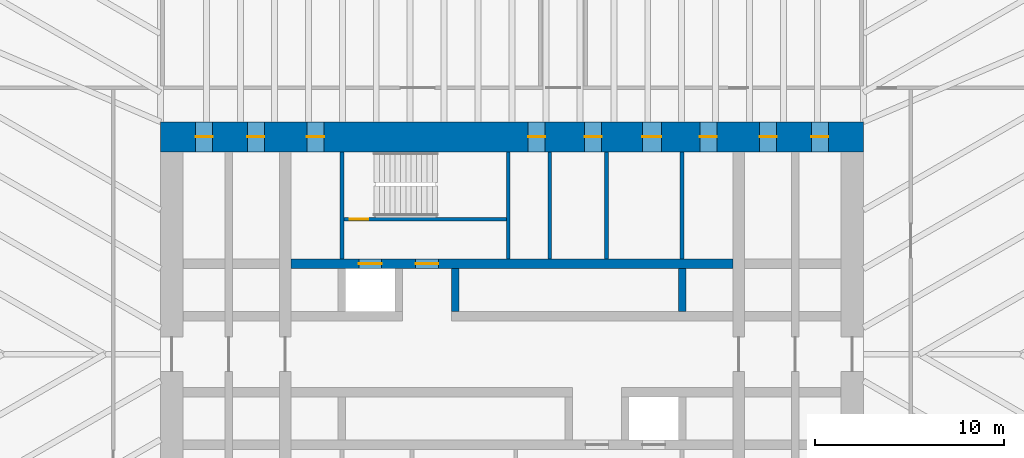
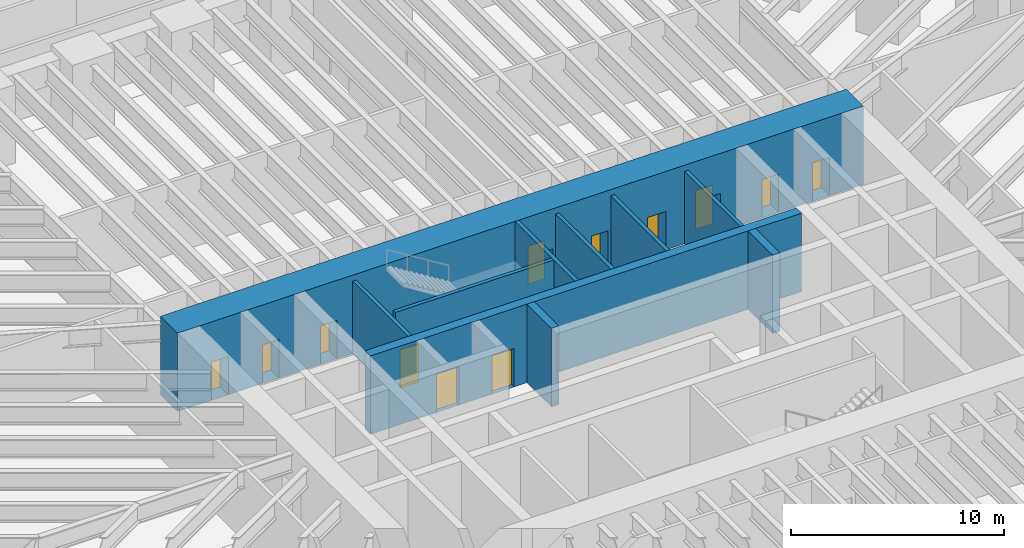
# One storey, part 7 of 12: 12 doors, 10 walls, 12 openings.
"""IFC4 building model written with IfcOpenShell, lengths in metres."""

from ifc_helpers import new_model, si_unit, direction, frame, frame_2d, origin, place, context, subcontext, project, spatial, rectangle, extrude, material, layer, layer_set, type_object, element, fill, save


model = new_model("IFC4")

# Units and contexts
model_context = context("Model", 3, precision=1e-05, world=origin(), true_north=direction((0.0, 1.0)))
body_context = subcontext(model_context, "Body", "Model", "MODEL_VIEW")
ifc_project = project(units=[si_unit("LENGTHUNIT", "METRE"), si_unit("AREAUNIT", "SQUARE_METRE"), si_unit("VOLUMEUNIT", "CUBIC_METRE"), si_unit("PLANEANGLEUNIT", "RADIAN"), si_unit("MASSUNIT", "GRAM", prefix="KILO")], contexts=[model_context])

# Site, building, storey
site_placement = place(None, origin())
site = spatial("IfcSite", under=ifc_project, at=site_placement, CompositionType="ELEMENT")
building_placement = place(site_placement, origin())
building = spatial("IfcBuilding", under=site, at=building_placement, Name="Tarfa Lantern Tower", CompositionType="ELEMENT")
storey_placement = place(building_placement, frame((0.0, 0.0, -4.5)))
storey = spatial("IfcBuildingStorey", under=building, at=storey_placement, Name="B1", CompositionType="ELEMENT", Elevation=-4.5)

# Walls
ifc_material_1 = material(Name="Concrete blockwork", Category="masonry")
ifc_layer_1 = layer(ifc_material_1, 0.199951171875)
ifc_layer_set_1 = layer_set([ifc_layer_1], Name="IW1 BLOCKWORK PARTITION 200 EI 120")
wall_type_1 = type_object("IfcWallType", Name="IW1 BLOCKWORK PARTITION 200 EI 120", PredefinedType="PARTITIONING", material=ifc_layer_set_1)
for number, where, z_axis, x_axis, name in (
    (1, (-9.0, 5.050048828125, 0.0), (0.0, 0.0, 1.0), (0.0, 1.0, 0.0), "Core partition"),
    (2, (9.0, 5.050048828125, 0.0), (0.0, 0.0, 1.0), (0.0, 1.0, 0.0), "Core partition"),
    (3, (2.0, 5.050048828125, 0.0), (0.0, 0.0, 1.0), (0.0, 1.0, 0.0), "Core partition"),
    (4, (5.0, 5.050048828125, 0.0), (0.0, 0.0, 1.0), (0.0, 1.0, 0.0), "Core partition"),
):
    element("IfcWall", number, at=place(storey_placement, frame(where, z_axis=z_axis, x_axis=x_axis)), inside=storey, type_object=wall_type_1, Name=name, PredefinedType="PARTITIONING", context=body_context, shape_type="SweptSolid", body=[
        extrude(rectangle(XDim=5.64990234375, YDim=0.199951171875, at=frame_2d((2.824951171875, 0.0))), origin(), (0.0, 0.0, 1.0), 4.14990234375),
    ])
ifc_material_2 = material(Name="Concrete C80/95", Category="concrete")
ifc_layer_2 = layer(ifc_material_2, 0.199951171875)
ifc_layer_set_2 = layer_set([ifc_layer_2], Name="SW12 CORE WALL 200")
wall_type_2 = type_object("IfcWallType", Name="SW12 CORE WALL 200", PredefinedType="SHEAR", material=ifc_layer_set_2)
wall_1_placement = place(storey_placement, frame((-0.199951171875, 5.050048828125, 0.0), z_axis=(0.0, 0.0, 1.0), x_axis=(0.0, 1.0, 0.0)))
element("IfcWall", 5, at=wall_1_placement, inside=storey, type_object=wall_type_2, Name="Core wall stair shaft N", PredefinedType="SHEAR", context=body_context, shape_type="SweptSolid", body=[
    extrude(rectangle(XDim=5.64990234375, YDim=0.199951171875, at=frame_2d((2.824951171875, 0.0))), origin(), (0.0, 0.0, 1.0), 4.5),
])

# Wall, opening, door
wall_2_placement = place(storey_placement, frame((-8.89990234375, 7.14990234375, 0.0), z_axis=(0.0, 0.0, 1.0), x_axis=(1.0, 0.0, 0.0)))
wall_2 = element("IfcWall", 6, at=wall_2_placement, inside=storey, type_object=wall_type_2, Name="Core wall stair partition N", PredefinedType="SHEAR", context=body_context, shape_type="SweptSolid", body=[
    extrude(rectangle(XDim=8.599853515625, YDim=0.199951171875, at=frame_2d((4.2998046875, 0.0))), origin(), (0.0, 0.0, 1.0), 4.5),
])
opening_1_placement = place(wall_2_placement, frame((0.300048828125, 0.0, 0.0)))
opening_1 = element("IfcOpeningElement", 7, at=opening_1_placement, cuts=wall_2, Name="Opening D23", PredefinedType="OPENING", context=body_context, shape_type="SweptSolid", body=[
    extrude(rectangle(XDim=1.0, YDim=2.199951171875, at=frame_2d((0.5, 1.10009765625))), frame((0.0, 0.10986328125, 0.0), z_axis=(0.0, -1.0, 0.0), x_axis=(1.0, 0.0, 0.0)), (0.0, 0.0, 1.0), 0.219970703125),
])
ifc_material_3 = material(Name="Steel fire door", Category="steel")
door_type_1 = type_object("IfcDoorType", Name="DF2 STAIR DOOR 1000x2200", OperationType="SINGLE_SWING_LEFT", PredefinedType="DOOR", material=ifc_material_3)
door_1_placement = place(opening_1_placement, origin())
door_1 = element("IfcDoor", 8, at=door_1_placement, inside=storey, type_object=door_type_1, Name="Stair door", OperationType="SINGLE_SWING_RIGHT", OverallHeight=2.199951171875, OverallWidth=1.0, PredefinedType="DOOR", context=body_context, shape_type="SweptSolid", body=[
    extrude(rectangle(XDim=1.0, YDim=2.199951171875, at=frame_2d((0.5, 1.10009765625))), frame((0.0, 0.02490234375, 0.0), z_axis=(0.0, -1.0, 0.0), x_axis=(1.0, 0.0, 0.0)), (0.0, 0.0, 1.0), 0.050048828125),
])
fill(opening_1, door_1)

# Wall, openings, doors
ifc_layer_3 = layer(ifc_material_2, 0.5)
ifc_layer_set_3 = layer_set([ifc_layer_3], Name="SW5 CORE WALL 500")
wall_type_3 = type_object("IfcWallType", Name="SW5 CORE WALL 500", PredefinedType="SHEAR", material=ifc_layer_set_3)
wall_3_placement = place(storey_placement, frame((-11.699951171875, 4.800048828125, 0.0), z_axis=(0.0, 0.0, 1.0), x_axis=(1.0, 0.0, 0.0)))
wall_3 = element("IfcWall", 9, at=wall_3_placement, inside=storey, type_object=wall_type_3, Name="Core wall rear N", PredefinedType="SHEAR", context=body_context, shape_type="SweptSolid", body=[
    extrude(rectangle(XDim=23.39990234375, YDim=0.5, at=frame_2d((11.699951171875, 0.0))), origin(), (0.0, 0.0, 1.0), 4.5),
])
opening_2_placement = place(wall_3_placement, frame((6.60009765625, 0.0, 0.0)))
opening_2 = element("IfcOpeningElement", 10, at=opening_2_placement, cuts=wall_3, Name="Opening D13", PredefinedType="OPENING", context=body_context, shape_type="SweptSolid", body=[
    extrude(rectangle(XDim=1.199951171875, YDim=2.199951171875, at=frame_2d((0.60009765625, 1.10009765625))), frame((0.0, 0.260009765625, 0.0), z_axis=(0.0, -1.0, 0.0), x_axis=(1.0, 0.0, 0.0)), (0.0, 0.0, 1.0), 0.52001953125),
])
opening_3_placement = place(wall_3_placement, frame((3.60009765625, 0.0, 0.0)))
opening_3 = element("IfcOpeningElement", 11, at=opening_3_placement, cuts=wall_3, Name="Opening LD01", PredefinedType="OPENING", context=body_context, shape_type="SweptSolid", body=[
    extrude(rectangle(XDim=1.199951171875, YDim=2.199951171875, at=frame_2d((0.60009765625, 1.10009765625))), frame((0.0, 0.260009765625, 0.0), z_axis=(0.0, -1.0, 0.0), x_axis=(1.0, 0.0, 0.0)), (0.0, 0.0, 1.0), 0.52001953125),
])
door_type_2 = type_object("IfcDoorType", Name="DF1 FIREFIGHTING LOBBY DOOR 1200x2200", OperationType="SINGLE_SWING_LEFT", PredefinedType="DOOR", material=ifc_material_3)
door_2_placement = place(opening_2_placement, origin())
door_2 = element("IfcDoor", 12, at=door_2_placement, inside=storey, type_object=door_type_2, Name="Firefighting lobby door", OperationType="SINGLE_SWING_LEFT", OverallHeight=2.199951171875, OverallWidth=1.199951171875, PredefinedType="DOOR", context=body_context, shape_type="SweptSolid", body=[
    extrude(rectangle(XDim=1.199951171875, YDim=2.199951171875, at=frame_2d((0.60009765625, 1.10009765625))), frame((0.0, 0.02490234375, 0.0), z_axis=(0.0, -1.0, 0.0), x_axis=(1.0, 0.0, 0.0)), (0.0, 0.0, 1.0), 0.050048828125),
])
fill(opening_2, door_2)
ifc_material_4 = material(Name="Stainless steel lift door", Category="steel")
door_type_3 = type_object("IfcDoorType", Name="LD1 LIFT LANDING DOOR 1200x2200", OperationType="SLIDING_TO_LEFT", PredefinedType="DOOR", material=ifc_material_4)
door_3_placement = place(opening_3_placement, origin())
door_3 = element("IfcDoor", 13, at=door_3_placement, inside=storey, type_object=door_type_3, Name="Landing door FL1", OperationType="SLIDING_TO_LEFT", OverallHeight=2.199951171875, OverallWidth=1.199951171875, PredefinedType="DOOR", context=body_context, shape_type="SweptSolid", body=[
    extrude(rectangle(XDim=1.199951171875, YDim=2.199951171875, at=frame_2d((0.60009765625, 1.10009765625))), frame((0.0, 0.02490234375, 0.0), z_axis=(0.0, -1.0, 0.0), x_axis=(1.0, 0.0, 0.0)), (0.0, 0.0, 1.0), 0.050048828125),
])
fill(opening_3, door_3)

# Walls
ifc_layer_4 = layer(ifc_material_2, 0.39990234375)
ifc_layer_set_4 = layer_set([ifc_layer_4], Name="SW6 CORE WALL 400")
wall_type_4 = type_object("IfcWallType", Name="SW6 CORE WALL 400", PredefinedType="SHEAR", material=ifc_layer_set_4)
for number, where, z_axis, x_axis, name in (
    (14, (-3.0, 2.25, 0.0), (0.0, 0.0, 1.0), (0.0, 1.0, 0.0), "Core wall divider N"),
    (15, (9.0, 2.25, 0.0), (0.0, 0.0, 1.0), (0.0, 1.0, 0.0), "Core wall divider N"),
):
    element("IfcWall", number, at=place(storey_placement, frame(where, z_axis=z_axis, x_axis=x_axis)), inside=storey, type_object=wall_type_4, Name=name, PredefinedType="SHEAR", context=body_context, shape_type="SweptSolid", body=[
        extrude(rectangle(XDim=2.300048828125, YDim=0.39990234375, at=frame_2d((1.14990234375, 0.0))), origin(), (0.0, 0.0, 1.0), 4.5),
    ])

# Wall, openings, doors
ifc_layer_5 = layer(ifc_material_2, 1.60009765625)
ifc_layer_set_5 = layer_set([ifc_layer_5], Name="SW7 CORE WALL 1600")
wall_type_5 = type_object("IfcWallType", Name="SW7 CORE WALL 1600", PredefinedType="SHEAR", material=ifc_layer_set_5)
wall_4_placement = place(storey_placement, frame((-18.60009765625, 11.5, 0.0), z_axis=(0.0, 0.0, 1.0), x_axis=(1.0, 0.0, 0.0)))
wall_4 = element("IfcWall", 16, at=wall_4_placement, inside=storey, type_object=wall_type_5, Name="Core wall N", PredefinedType="SHEAR", context=body_context, shape_type="SweptSolid", body=[
    extrude(rectangle(XDim=37.2001953125, YDim=1.60009765625, at=frame_2d((18.60009765625, 0.0))), origin(), (0.0, 0.0, 1.0), 4.5),
])
opening_4_placement = place(wall_4_placement, frame((19.449951171875, 0.0, 0.0)))
opening_4 = element("IfcOpeningElement", 17, at=opening_4_placement, cuts=wall_4, Name="Opening D17", PredefinedType="OPENING", context=body_context, shape_type="SweptSolid", body=[
    extrude(rectangle(XDim=0.89990234375, YDim=2.199951171875, at=frame_2d((0.449951171875, 1.10009765625))), frame((0.0, 0.81005859375, 0.0), z_axis=(0.0, -1.0, 0.0), x_axis=(1.0, 0.0, 0.0)), (0.0, 0.0, 1.0), 1.6201171875),
])
opening_5_placement = place(wall_4_placement, frame((22.449951171875, 0.0, 0.0)))
opening_5 = element("IfcOpeningElement", 18, at=opening_5_placement, cuts=wall_4, Name="Opening D19", PredefinedType="OPENING", context=body_context, shape_type="SweptSolid", body=[
    extrude(rectangle(XDim=0.89990234375, YDim=2.199951171875, at=frame_2d((0.449951171875, 1.10009765625))), frame((0.0, 0.81005859375, 0.0), z_axis=(0.0, -1.0, 0.0), x_axis=(1.0, 0.0, 0.0)), (0.0, 0.0, 1.0), 1.6201171875),
])
opening_6_placement = place(wall_4_placement, frame((25.5, 0.0, 0.0)))
opening_6 = element("IfcOpeningElement", 19, at=opening_6_placement, cuts=wall_4, Name="Opening D21", PredefinedType="OPENING", context=body_context, shape_type="SweptSolid", body=[
    extrude(rectangle(XDim=1.0, YDim=2.199951171875, at=frame_2d((0.5, 1.10009765625))), frame((0.0, 0.81005859375, 0.0), z_axis=(0.0, -1.0, 0.0), x_axis=(1.0, 0.0, 0.0)), (0.0, 0.0, 1.0), 1.6201171875),
])
opening_7_placement = place(wall_4_placement, frame((1.85009765625, 0.0, 0.0)))
opening_7 = element("IfcOpeningElement", 20, at=opening_7_placement, cuts=wall_4, Name="Opening D11", PredefinedType="OPENING", context=body_context, shape_type="SweptSolid", body=[
    extrude(rectangle(XDim=0.89990234375, YDim=2.199951171875, at=frame_2d((0.449951171875, 1.10009765625))), frame((0.0, 0.81005859375, 0.0), z_axis=(0.0, -1.0, 0.0), x_axis=(1.0, 0.0, 0.0)), (0.0, 0.0, 1.0), 1.6201171875),
])
opening_8_placement = place(wall_4_placement, frame((4.60009765625, 0.0, 0.0)))
opening_8 = element("IfcOpeningElement", 21, at=opening_8_placement, cuts=wall_4, Name="Opening D07", PredefinedType="OPENING", context=body_context, shape_type="SweptSolid", body=[
    extrude(rectangle(XDim=0.89990234375, YDim=2.199951171875, at=frame_2d((0.449951171875, 1.10009765625))), frame((0.0, 0.81005859375, 0.0), z_axis=(0.0, -1.0, 0.0), x_axis=(1.0, 0.0, 0.0)), (0.0, 0.0, 1.0), 1.6201171875),
])
opening_9_placement = place(wall_4_placement, frame((7.75, 0.0, 0.0)))
opening_9 = element("IfcOpeningElement", 22, at=opening_9_placement, cuts=wall_4, Name="Opening D09", PredefinedType="OPENING", context=body_context, shape_type="SweptSolid", body=[
    extrude(rectangle(XDim=0.89990234375, YDim=2.199951171875, at=frame_2d((0.449951171875, 1.10009765625))), frame((0.0, 0.81005859375, 0.0), z_axis=(0.0, -1.0, 0.0), x_axis=(1.0, 0.0, 0.0)), (0.0, 0.0, 1.0), 1.6201171875),
])
opening_10_placement = place(wall_4_placement, frame((28.550048828125, 0.0, 0.0)))
opening_10 = element("IfcOpeningElement", 23, at=opening_10_placement, cuts=wall_4, Name="Opening D05", PredefinedType="OPENING", context=body_context, shape_type="SweptSolid", body=[
    extrude(rectangle(XDim=0.89990234375, YDim=2.199951171875, at=frame_2d((0.449951171875, 1.10009765625))), frame((0.0, 0.81005859375, 0.0), z_axis=(0.0, -1.0, 0.0), x_axis=(1.0, 0.0, 0.0)), (0.0, 0.0, 1.0), 1.6201171875),
])
opening_11_placement = place(wall_4_placement, frame((31.699951171875, 0.0, 0.0)))
opening_11 = element("IfcOpeningElement", 24, at=opening_11_placement, cuts=wall_4, Name="Opening D01", PredefinedType="OPENING", context=body_context, shape_type="SweptSolid", body=[
    extrude(rectangle(XDim=0.89990234375, YDim=2.199951171875, at=frame_2d((0.449951171875, 1.10009765625))), frame((0.0, 0.81005859375, 0.0), z_axis=(0.0, -1.0, 0.0), x_axis=(1.0, 0.0, 0.0)), (0.0, 0.0, 1.0), 1.6201171875),
])
opening_12_placement = place(wall_4_placement, frame((34.449951171875, 0.0, 0.0)))
opening_12 = element("IfcOpeningElement", 25, at=opening_12_placement, cuts=wall_4, Name="Opening D03", PredefinedType="OPENING", context=body_context, shape_type="SweptSolid", body=[
    extrude(rectangle(XDim=0.89990234375, YDim=2.199951171875, at=frame_2d((0.449951171875, 1.10009765625))), frame((0.0, 0.81005859375, 0.0), z_axis=(0.0, -1.0, 0.0), x_axis=(1.0, 0.0, 0.0)), (0.0, 0.0, 1.0), 1.6201171875),
])
door_type_4 = type_object("IfcDoorType", Name="DF3 CORE ROOM DOOR 900x2200", OperationType="SINGLE_SWING_LEFT", PredefinedType="DOOR", material=ifc_material_3)
door_4_placement = place(opening_4_placement, frame((0.89990234375, 0.0, 0.0), z_axis=(0.0, 0.0, 1.0), x_axis=(-1.0, 0.0, 0.0)))
door_4 = element("IfcDoor", 26, at=door_4_placement, inside=storey, type_object=door_type_4, Name="Core door", OperationType="SINGLE_SWING_RIGHT", OverallHeight=2.199951171875, OverallWidth=0.89990234375, PredefinedType="DOOR", context=body_context, shape_type="SweptSolid", body=[
    extrude(rectangle(XDim=0.89990234375, YDim=2.199951171875, at=frame_2d((0.449951171875, 1.10009765625))), frame((0.0, 0.02490234375, 0.0), z_axis=(0.0, -1.0, 0.0), x_axis=(1.0, 0.0, 0.0)), (0.0, 0.0, 1.0), 0.050048828125),
])
fill(opening_4, door_4)
door_5_placement = place(opening_5_placement, frame((0.89990234375, 0.0, 0.0), z_axis=(0.0, 0.0, 1.0), x_axis=(-1.0, 0.0, 0.0)))
door_5 = element("IfcDoor", 27, at=door_5_placement, inside=storey, type_object=door_type_4, Name="Core door", OperationType="SINGLE_SWING_RIGHT", OverallHeight=2.199951171875, OverallWidth=0.89990234375, PredefinedType="DOOR", context=body_context, shape_type="SweptSolid", body=[
    extrude(rectangle(XDim=0.89990234375, YDim=2.199951171875, at=frame_2d((0.449951171875, 1.10009765625))), frame((0.0, 0.02490234375, 0.0), z_axis=(0.0, -1.0, 0.0), x_axis=(1.0, 0.0, 0.0)), (0.0, 0.0, 1.0), 0.050048828125),
])
fill(opening_5, door_5)
door_type_5 = type_object("IfcDoorType", Name="DF4 CORE ROOM DOOR 1000x2200", OperationType="SINGLE_SWING_LEFT", PredefinedType="DOOR", material=ifc_material_3)
door_6_placement = place(opening_6_placement, frame((1.0, 0.0, 0.0), z_axis=(0.0, 0.0, 1.0), x_axis=(-1.0, 0.0, 0.0)))
door_6 = element("IfcDoor", 28, at=door_6_placement, inside=storey, type_object=door_type_5, Name="Core door", OperationType="SINGLE_SWING_RIGHT", OverallHeight=2.199951171875, OverallWidth=1.0, PredefinedType="DOOR", context=body_context, shape_type="SweptSolid", body=[
    extrude(rectangle(XDim=1.0, YDim=2.199951171875, at=frame_2d((0.5, 1.10009765625))), frame((0.0, 0.02490234375, 0.0), z_axis=(0.0, -1.0, 0.0), x_axis=(1.0, 0.0, 0.0)), (0.0, 0.0, 1.0), 0.050048828125),
])
fill(opening_6, door_6)
door_type_6 = type_object("IfcDoorType", Name="DF5 RISER DOOR 900x2200", OperationType="SINGLE_SWING_LEFT", PredefinedType="DOOR", material=ifc_material_3)
door_7_placement = place(opening_7_placement, frame((0.89990234375, 0.0, 0.0), z_axis=(0.0, 0.0, 1.0), x_axis=(-1.0, 0.0, 0.0)))
door_7 = element("IfcDoor", 29, at=door_7_placement, inside=storey, type_object=door_type_6, Name="Riser door", OperationType="SINGLE_SWING_LEFT", OverallHeight=2.199951171875, OverallWidth=0.89990234375, PredefinedType="DOOR", context=body_context, shape_type="SweptSolid", body=[
    extrude(rectangle(XDim=0.89990234375, YDim=2.199951171875, at=frame_2d((0.449951171875, 1.10009765625))), frame((0.0, 0.02490234375, 0.0), z_axis=(0.0, -1.0, 0.0), x_axis=(1.0, 0.0, 0.0)), (0.0, 0.0, 1.0), 0.050048828125),
])
fill(opening_7, door_7)
door_8_placement = place(opening_8_placement, frame((0.89990234375, 0.0, 0.0), z_axis=(0.0, 0.0, 1.0), x_axis=(-1.0, 0.0, 0.0)))
door_8 = element("IfcDoor", 30, at=door_8_placement, inside=storey, type_object=door_type_6, Name="Riser door", OperationType="SINGLE_SWING_LEFT", OverallHeight=2.199951171875, OverallWidth=0.89990234375, PredefinedType="DOOR", context=body_context, shape_type="SweptSolid", body=[
    extrude(rectangle(XDim=0.89990234375, YDim=2.199951171875, at=frame_2d((0.449951171875, 1.10009765625))), frame((0.0, 0.02490234375, 0.0), z_axis=(0.0, -1.0, 0.0), x_axis=(1.0, 0.0, 0.0)), (0.0, 0.0, 1.0), 0.050048828125),
])
fill(opening_8, door_8)
door_9_placement = place(opening_9_placement, frame((0.89990234375, 0.0, 0.0), z_axis=(0.0, 0.0, 1.0), x_axis=(-1.0, 0.0, 0.0)))
door_9 = element("IfcDoor", 31, at=door_9_placement, inside=storey, type_object=door_type_6, Name="Riser door", OperationType="SINGLE_SWING_LEFT", OverallHeight=2.199951171875, OverallWidth=0.89990234375, PredefinedType="DOOR", context=body_context, shape_type="SweptSolid", body=[
    extrude(rectangle(XDim=0.89990234375, YDim=2.199951171875, at=frame_2d((0.449951171875, 1.10009765625))), frame((0.0, 0.02490234375, 0.0), z_axis=(0.0, -1.0, 0.0), x_axis=(1.0, 0.0, 0.0)), (0.0, 0.0, 1.0), 0.050048828125),
])
fill(opening_9, door_9)
door_10_placement = place(opening_10_placement, frame((0.89990234375, 0.0, 0.0), z_axis=(0.0, 0.0, 1.0), x_axis=(-1.0, 0.0, 0.0)))
door_10 = element("IfcDoor", 32, at=door_10_placement, inside=storey, type_object=door_type_6, Name="Riser door", OperationType="SINGLE_SWING_RIGHT", OverallHeight=2.199951171875, OverallWidth=0.89990234375, PredefinedType="DOOR", context=body_context, shape_type="SweptSolid", body=[
    extrude(rectangle(XDim=0.89990234375, YDim=2.199951171875, at=frame_2d((0.449951171875, 1.10009765625))), frame((0.0, 0.02490234375, 0.0), z_axis=(0.0, -1.0, 0.0), x_axis=(1.0, 0.0, 0.0)), (0.0, 0.0, 1.0), 0.050048828125),
])
fill(opening_10, door_10)
door_11_placement = place(opening_11_placement, frame((0.89990234375, 0.0, 0.0), z_axis=(0.0, 0.0, 1.0), x_axis=(-1.0, 0.0, 0.0)))
door_11 = element("IfcDoor", 33, at=door_11_placement, inside=storey, type_object=door_type_6, Name="Riser door", OperationType="SINGLE_SWING_RIGHT", OverallHeight=2.199951171875, OverallWidth=0.89990234375, PredefinedType="DOOR", context=body_context, shape_type="SweptSolid", body=[
    extrude(rectangle(XDim=0.89990234375, YDim=2.199951171875, at=frame_2d((0.449951171875, 1.10009765625))), frame((0.0, 0.02490234375, 0.0), z_axis=(0.0, -1.0, 0.0), x_axis=(1.0, 0.0, 0.0)), (0.0, 0.0, 1.0), 0.050048828125),
])
fill(opening_11, door_11)
door_12_placement = place(opening_12_placement, frame((0.89990234375, 0.0, 0.0), z_axis=(0.0, 0.0, 1.0), x_axis=(-1.0, 0.0, 0.0)))
door_12 = element("IfcDoor", 34, at=door_12_placement, inside=storey, type_object=door_type_6, Name="Riser door", OperationType="SINGLE_SWING_RIGHT", OverallHeight=2.199951171875, OverallWidth=0.89990234375, PredefinedType="DOOR", context=body_context, shape_type="SweptSolid", body=[
    extrude(rectangle(XDim=0.89990234375, YDim=2.199951171875, at=frame_2d((0.449951171875, 1.10009765625))), frame((0.0, 0.02490234375, 0.0), z_axis=(0.0, -1.0, 0.0), x_axis=(1.0, 0.0, 0.0)), (0.0, 0.0, 1.0), 0.050048828125),
])
fill(opening_12, door_12)

save(model, "model.ifc")
